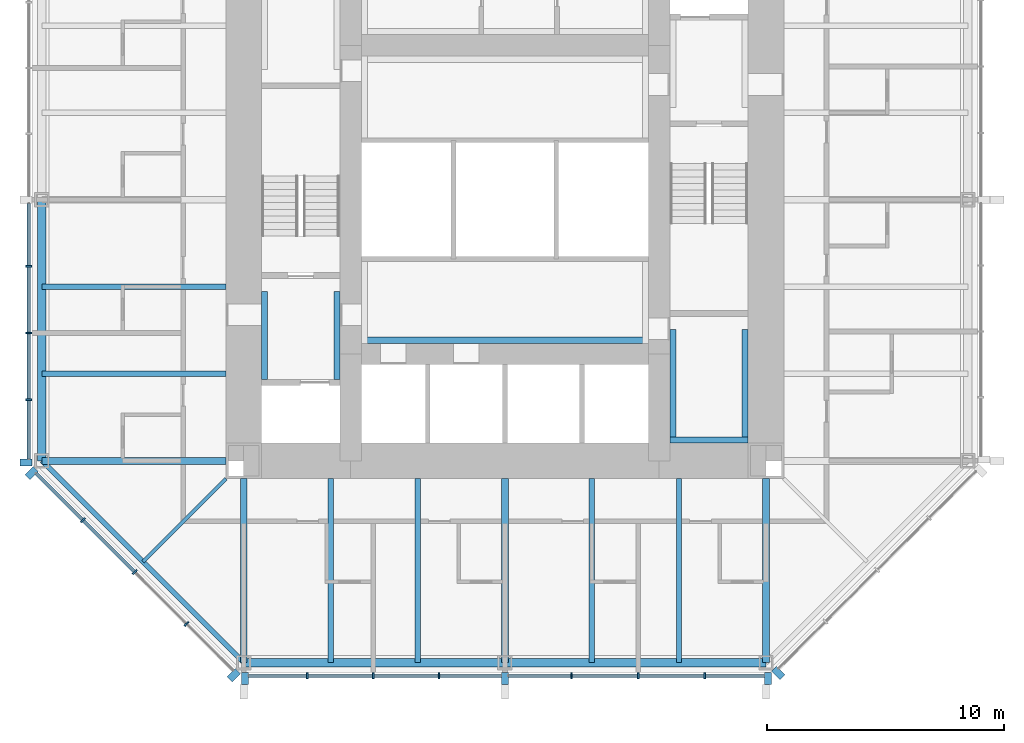
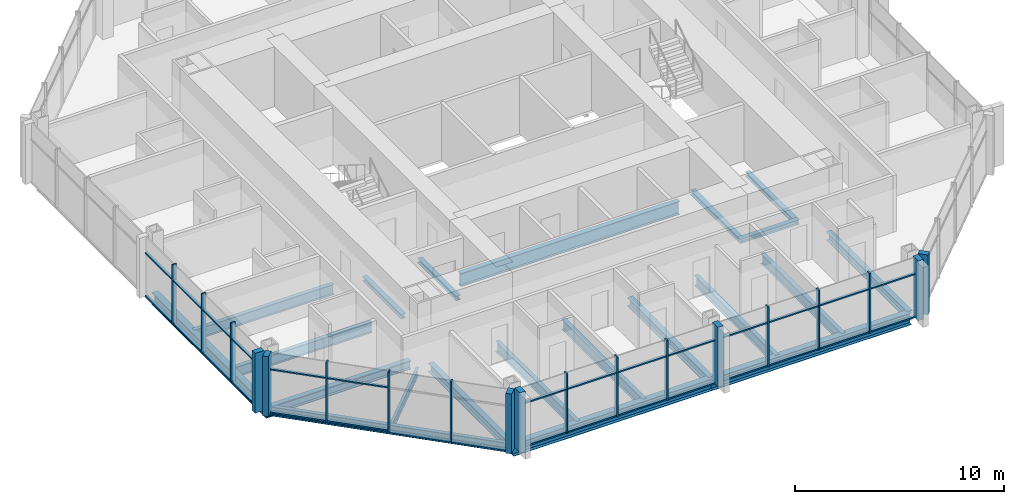
# One storey, part 2 of 12: 47 members, 21 beams, 4 elements without a shape of their own.
"""IFC4 building model written with IfcOpenShell, lengths in metres."""

from ifc_helpers import new_model, si_unit, direction, frame, origin, origin_2d, place, context, subcontext, project, spatial, rectangle, i_section, extrude, material, material_profile, profile_set, type_object, element, aggregate, save


model = new_model("IFC4")

# Units and contexts
model_context = context("Model", 3, precision=1e-05, world=origin(), true_north=direction((0.0, 1.0)))
body_context = subcontext(model_context, "Body", "Model", "MODEL_VIEW")
ifc_project = project(units=[si_unit("LENGTHUNIT", "METRE"), si_unit("AREAUNIT", "SQUARE_METRE"), si_unit("VOLUMEUNIT", "CUBIC_METRE"), si_unit("PLANEANGLEUNIT", "RADIAN"), si_unit("MASSUNIT", "GRAM", prefix="KILO")], contexts=[model_context])

# Site, building, storey
site_placement = place(None, origin())
site = spatial("IfcSite", under=ifc_project, at=site_placement, CompositionType="ELEMENT")
building_placement = place(site_placement, origin())
building = spatial("IfcBuilding", under=site, at=building_placement, Name="Trevanion Tower", CompositionType="ELEMENT")
storey_placement = place(building_placement, frame((0.0, 0.0, 201.199951171875)))
storey = spatial("IfcBuildingStorey", under=building, at=storey_placement, Name="L47", CompositionType="ELEMENT", Elevation=201.199951171875)

# Beams
ifc_material_1 = material(Name="Steel ASTM A992 Grade 50", Category="steel")
ifc_material_profile_1 = material_profile(ifc_material_1, i_section(OverallWidth=0.228271484375, OverallDepth=0.607177734375, WebThickness=0.01123046875, FlangeThickness=0.017333984375, at=origin_2d()), Name="W24X76")
ifc_profile_set_1 = profile_set([ifc_material_profile_1], Name="Steel ASTM A992 Grade 50")
beam_type_1 = type_object("IfcBeamType", Name="B11 W24X76", PredefinedType="BEAM", material=ifc_profile_set_1)
for number, where, z_axis, x_axis, name in (
    (1, (-11.75, -3.666748046875, -0.493408203125), (-1.0, 0.0, 0.0), (0.0, -1.0, 0.0), "B11 L47"),
    (2, (-11.75, -7.333251953125, -0.493408203125), (-1.0, 0.0, 0.0), (0.0, -1.0, 0.0), "B11 L47"),
    (3, (-7.333251953125, -11.75, -0.493408203125), (0.0, -1.0, 0.0), (1.0, 0.0, 0.0), "B11 L47"),
    (4, (-3.666748046875, -11.75, -0.493408203125), (0.0, -1.0, 0.0), (1.0, 0.0, 0.0), "B11 L47"),
    (5, (3.666748046875, -11.75, -0.493408203125), (0.0, -1.0, 0.0), (1.0, 0.0, 0.0), "B11 L47"),
    (6, (7.333251953125, -11.75, -0.493408203125), (0.0, -1.0, 0.0), (1.0, 0.0, 0.0), "B11 L47"),
):
    element("IfcBeam", number, at=place(storey_placement, frame(where, z_axis=z_axis, x_axis=x_axis)), inside=storey, type_object=beam_type_1, Name=name, PredefinedType="BEAM", context=body_context, shape_type="SweptSolid", body=[
        extrude(i_section(OverallWidth=0.228271484375, OverallDepth=0.607177734375, WebThickness=0.01123046875, FlangeThickness=0.017333984375, at=origin_2d()), origin(), (0.0, 0.0, 1.0), 7.75),
    ])
ifc_material_2 = material(Name="Steel ASTM A992 Grade 50", Category="steel")
ifc_material_profile_2 = material_profile(ifc_material_2, i_section(OverallWidth=0.15234375, OverallDepth=0.449462890625, WebThickness=0.007568359375, FlangeThickness=0.0107421875, at=origin_2d()), Name="W18X35")
ifc_profile_set_2 = profile_set([ifc_material_profile_2], Name="Steel ASTM A992 Grade 50")
beam_type_2 = type_object("IfcBeamType", Name="B12 W18X35", PredefinedType="BEAM", material=ifc_profile_set_2)
beam_1_placement = place(storey_placement, frame((-11.75, -11.75, -0.414794921875), z_axis=(-0.707106781187, -0.707106781187, 0.0), x_axis=(0.707106781187, -0.707106781187, 0.0)))
element("IfcBeam", 7, at=beam_1_placement, inside=storey, type_object=beam_type_2, Name="B12 L47", PredefinedType="BEAM", context=body_context, shape_type="SweptSolid", body=[
    extrude(i_section(OverallWidth=0.15234375, OverallDepth=0.449462890625, WebThickness=0.007568359375, FlangeThickness=0.0107421875, at=origin_2d()), origin(), (0.0, 0.0, 1.0), 4.94970703125),
])

# Curtain wall, members
ifc_material_3 = material(Name="Aluminium and glass", Category="aluminium")
curtain_wall_type = type_object("IfcCurtainWallType", Name="CW3 curtain wall", PredefinedType="USERDEFINED", material=ifc_material_3)
curtain_wall_1_placement = place(storey_placement, origin())
curtain_wall_1 = element("IfcCurtainWall", 8, at=curtain_wall_1_placement, inside=storey, type_object=curtain_wall_type, Name="CW3 L47 4", ObjectType="UNITISED CURTAIN WALL", PredefinedType="USERDEFINED")
ifc_material_4 = material(Name="Aluminium extrusion, anodised bronze", Category="aluminium")
ifc_material_profile_3 = material_profile(ifc_material_4, rectangle(XDim=0.074951171875, YDim=0.25, at=origin_2d()), Name="CW3 mullion")
ifc_profile_set_3 = profile_set([ifc_material_profile_3], Name="Aluminium extrusion, anodised bronze")
member_type_1 = type_object("IfcMemberType", Name="CW3 mullion", PredefinedType="MULLION", material=ifc_profile_set_3)
member_1_placement = place(storey_placement, frame((-20.050048828125, -2.806884765625, -0.18994140625), z_axis=(0.0, 0.0, 1.0), x_axis=(0.0, -1.0, 0.0)))
member_1 = element("IfcMember", 9, at=member_1_placement, type_object=member_type_1, Name="CW3 mullion 6", PredefinedType="MULLION", context=body_context, shape_type="SweptSolid", body=[
    extrude(rectangle(XDim=0.074951171875, YDim=0.25, at=origin_2d()), origin(), (0.0, 0.0, 1.0), 3.5),
])
member_2_placement = place(storey_placement, frame((-20.050048828125, -5.614013671875, -0.18994140625), z_axis=(0.0, 0.0, 1.0), x_axis=(0.0, -1.0, 0.0)))
member_2 = element("IfcMember", 10, at=member_2_placement, type_object=member_type_1, Name="CW3 mullion 7", PredefinedType="MULLION", context=body_context, shape_type="SweptSolid", body=[
    extrude(rectangle(XDim=0.074951171875, YDim=0.25, at=origin_2d()), origin(), (0.0, 0.0, 1.0), 3.5),
])
member_3_placement = place(storey_placement, frame((-20.050048828125, -8.4208984375, -0.18994140625), z_axis=(0.0, 0.0, 1.0), x_axis=(0.0, -1.0, 0.0)))
member_3 = element("IfcMember", 11, at=member_3_placement, type_object=member_type_1, Name="CW3 mullion 8", PredefinedType="MULLION", context=body_context, shape_type="SweptSolid", body=[
    extrude(rectangle(XDim=0.074951171875, YDim=0.25, at=origin_2d()), origin(), (0.0, 0.0, 1.0), 3.5),
])

curtain_wall_2_placement = place(storey_placement, origin())
curtain_wall_2 = element("IfcCurtainWall", 12, at=curtain_wall_2_placement, inside=storey, type_object=curtain_wall_type, Name="CW3 L47 5", ObjectType="UNITISED CURTAIN WALL", PredefinedType="USERDEFINED")
member_4_placement = place(storey_placement, frame((-17.775390625, -13.502197265625, -0.18994140625), z_axis=(0.0, 0.0, 1.0), x_axis=(0.707106781187, -0.707106781187, 0.0)))
member_4 = element("IfcMember", 13, at=member_4_placement, type_object=member_type_1, Name="CW3 mullion 2", PredefinedType="MULLION", context=body_context, shape_type="SweptSolid", body=[
    extrude(rectangle(XDim=0.074951171875, YDim=0.25, at=origin_2d()), origin(), (0.0, 0.0, 1.0), 3.5),
])
member_5_placement = place(storey_placement, frame((-15.593017578125, -15.684814453125, -0.18994140625), z_axis=(0.0, 0.0, 1.0), x_axis=(0.707106781187, -0.707106781187, 0.0)))
member_5 = element("IfcMember", 14, at=member_5_placement, type_object=member_type_1, Name="CW3 mullion 3", PredefinedType="MULLION", context=body_context, shape_type="SweptSolid", body=[
    extrude(rectangle(XDim=0.074951171875, YDim=0.25, at=origin_2d()), origin(), (0.0, 0.0, 1.0), 3.5),
])
member_6_placement = place(storey_placement, frame((-13.410400390625, -17.867431640625, -0.18994140625), z_axis=(0.0, 0.0, 1.0), x_axis=(0.707106781187, -0.707106781187, 0.0)))
member_6 = element("IfcMember", 15, at=member_6_placement, type_object=member_type_1, Name="CW3 mullion 4", PredefinedType="MULLION", context=body_context, shape_type="SweptSolid", body=[
    extrude(rectangle(XDim=0.074951171875, YDim=0.25, at=origin_2d()), origin(), (0.0, 0.0, 1.0), 3.5),
])

curtain_wall_3_placement = place(storey_placement, origin())
curtain_wall_3 = element("IfcCurtainWall", 16, at=curtain_wall_3_placement, inside=storey, type_object=curtain_wall_type, Name="CW3 L47 6", ObjectType="UNITISED CURTAIN WALL", PredefinedType="USERDEFINED")
member_7_placement = place(storey_placement, frame((-8.323486328125, -20.050048828125, -0.18994140625), z_axis=(0.0, 0.0, 1.0), x_axis=(1.0, 0.0, 0.0)))
member_7 = element("IfcMember", 17, at=member_7_placement, type_object=member_type_1, Name="CW3 mullion 2", PredefinedType="MULLION", context=body_context, shape_type="SweptSolid", body=[
    extrude(rectangle(XDim=0.074951171875, YDim=0.25, at=origin_2d()), origin(), (0.0, 0.0, 1.0), 3.5),
])
member_8_placement = place(storey_placement, frame((-5.548828125, -20.050048828125, -0.18994140625), z_axis=(0.0, 0.0, 1.0), x_axis=(1.0, 0.0, 0.0)))
member_8 = element("IfcMember", 18, at=member_8_placement, type_object=member_type_1, Name="CW3 mullion 3", PredefinedType="MULLION", context=body_context, shape_type="SweptSolid", body=[
    extrude(rectangle(XDim=0.074951171875, YDim=0.25, at=origin_2d()), origin(), (0.0, 0.0, 1.0), 3.5),
])
member_9_placement = place(storey_placement, frame((-2.7744140625, -20.050048828125, -0.18994140625), z_axis=(0.0, 0.0, 1.0), x_axis=(1.0, 0.0, 0.0)))
member_9 = element("IfcMember", 19, at=member_9_placement, type_object=member_type_1, Name="CW3 mullion 4", PredefinedType="MULLION", context=body_context, shape_type="SweptSolid", body=[
    extrude(rectangle(XDim=0.074951171875, YDim=0.25, at=origin_2d()), origin(), (0.0, 0.0, 1.0), 3.5),
])
member_10_placement = place(storey_placement, frame((2.806884765625, -20.050048828125, -0.18994140625), z_axis=(0.0, 0.0, 1.0), x_axis=(1.0, 0.0, 0.0)))
member_10 = element("IfcMember", 20, at=member_10_placement, type_object=member_type_1, Name="CW3 mullion 6", PredefinedType="MULLION", context=body_context, shape_type="SweptSolid", body=[
    extrude(rectangle(XDim=0.074951171875, YDim=0.25, at=origin_2d()), origin(), (0.0, 0.0, 1.0), 3.5),
])
member_11_placement = place(storey_placement, frame((5.614013671875, -20.050048828125, -0.18994140625), z_axis=(0.0, 0.0, 1.0), x_axis=(1.0, 0.0, 0.0)))
member_11 = element("IfcMember", 21, at=member_11_placement, type_object=member_type_1, Name="CW3 mullion 7", PredefinedType="MULLION", context=body_context, shape_type="SweptSolid", body=[
    extrude(rectangle(XDim=0.074951171875, YDim=0.25, at=origin_2d()), origin(), (0.0, 0.0, 1.0), 3.5),
])
member_12_placement = place(storey_placement, frame((8.4208984375, -20.050048828125, -0.18994140625), z_axis=(0.0, 0.0, 1.0), x_axis=(1.0, 0.0, 0.0)))
member_12 = element("IfcMember", 22, at=member_12_placement, type_object=member_type_1, Name="CW3 mullion 8", PredefinedType="MULLION", context=body_context, shape_type="SweptSolid", body=[
    extrude(rectangle(XDim=0.074951171875, YDim=0.25, at=origin_2d()), origin(), (0.0, 0.0, 1.0), 3.5),
])

# Member
ifc_material_5 = material(Name="Aluminium extrusion, anodised bronze", Category="aluminium")
ifc_material_profile_4 = material_profile(ifc_material_5, rectangle(XDim=0.300048828125, YDim=0.5, at=origin_2d()), Name="CW3 pier mullion")
ifc_profile_set_4 = profile_set([ifc_material_profile_4], Name="Aluminium extrusion, anodised bronze")
member_type_2 = type_object("IfcMemberType", Name="CW3 pier mullion", PredefinedType="MULLION", material=ifc_profile_set_4)
member_13_placement = place(storey_placement, frame((-20.175048828125, -11.077880859375, -0.18994140625), z_axis=(0.0, 0.0, 1.0), x_axis=(0.0, -1.0, 0.0)))
member_13 = element("IfcMember", 23, at=member_13_placement, type_object=member_type_2, Name="CW3 pier mullion 9", PredefinedType="MULLION", context=body_context, shape_type="SweptSolid", body=[
    extrude(rectangle(XDim=0.300048828125, YDim=0.5, at=origin_2d()), origin(), (0.0, 0.0, 1.0), 3.5),
])

member_14_placement = place(storey_placement, frame((-19.9404296875, -11.51416015625, -0.18994140625), z_axis=(0.0, 0.0, 1.0), x_axis=(0.707106781187, -0.707106781187, 0.0)))
member_14 = element("IfcMember", 24, at=member_14_placement, type_object=member_type_2, Name="CW3 pier mullion 1", PredefinedType="MULLION", context=body_context, shape_type="SweptSolid", body=[
    extrude(rectangle(XDim=0.300048828125, YDim=0.5, at=origin_2d()), origin(), (0.0, 0.0, 1.0), 3.5),
])

member_15_placement = place(storey_placement, frame((-11.42236328125, -20.0322265625, -0.18994140625), z_axis=(0.0, 0.0, 1.0), x_axis=(0.707106781187, -0.707106781187, 0.0)))
member_15 = element("IfcMember", 25, at=member_15_placement, type_object=member_type_2, Name="CW3 pier mullion 5", PredefinedType="MULLION", context=body_context, shape_type="SweptSolid", body=[
    extrude(rectangle(XDim=0.300048828125, YDim=0.5, at=origin_2d()), origin(), (0.0, 0.0, 1.0), 3.5),
])

member_16_placement = place(storey_placement, frame((-10.94775390625, -20.175048828125, -0.18994140625), z_axis=(0.0, 0.0, 1.0), x_axis=(1.0, 0.0, 0.0)))
member_16 = element("IfcMember", 26, at=member_16_placement, type_object=member_type_2, Name="CW3 pier mullion 1", PredefinedType="MULLION", context=body_context, shape_type="SweptSolid", body=[
    extrude(rectangle(XDim=0.300048828125, YDim=0.5, at=origin_2d()), origin(), (0.0, 0.0, 1.0), 3.5),
])

member_17_placement = place(storey_placement, frame((0.0, -20.175048828125, -0.18994140625), z_axis=(0.0, 0.0, 1.0), x_axis=(1.0, 0.0, 0.0)))
member_17 = element("IfcMember", 27, at=member_17_placement, type_object=member_type_2, Name="CW3 pier mullion 5", PredefinedType="MULLION", context=body_context, shape_type="SweptSolid", body=[
    extrude(rectangle(XDim=0.300048828125, YDim=0.5, at=origin_2d()), origin(), (0.0, 0.0, 1.0), 3.5),
])

member_18_placement = place(storey_placement, frame((11.077880859375, -20.175048828125, -0.18994140625), z_axis=(0.0, 0.0, 1.0), x_axis=(1.0, 0.0, 0.0)))
member_18 = element("IfcMember", 28, at=member_18_placement, type_object=member_type_2, Name="CW3 pier mullion 9", PredefinedType="MULLION", context=body_context, shape_type="SweptSolid", body=[
    extrude(rectangle(XDim=0.300048828125, YDim=0.5, at=origin_2d()), origin(), (0.0, 0.0, 1.0), 3.5),
])

# Curtain wall, member
curtain_wall_4_placement = place(storey_placement, origin())
curtain_wall_4 = element("IfcCurtainWall", 29, at=curtain_wall_4_placement, inside=storey, type_object=curtain_wall_type, Name="CW3 L47 7", ObjectType="UNITISED CURTAIN WALL", PredefinedType="USERDEFINED")
member_19_placement = place(storey_placement, frame((11.51416015625, -19.9404296875, -0.18994140625), z_axis=(0.0, 0.0, 1.0), x_axis=(0.707106781187, 0.707106781187, 0.0)))
member_19 = element("IfcMember", 30, at=member_19_placement, type_object=member_type_2, Name="CW3 pier mullion 1", PredefinedType="MULLION", context=body_context, shape_type="SweptSolid", body=[
    extrude(rectangle(XDim=0.300048828125, YDim=0.5, at=origin_2d()), origin(), (0.0, 0.0, 1.0), 3.5),
])
aggregate(curtain_wall_4, [member_19])

# Member
ifc_material_6 = material(Name="Aluminium extrusion, anodised bronze", Category="aluminium")
ifc_material_profile_5 = material_profile(ifc_material_6, rectangle(XDim=0.14990234375, YDim=0.074951171875, at=origin_2d()), Name="CW3 transom")
ifc_profile_set_5 = profile_set([ifc_material_profile_5], Name="Aluminium extrusion, anodised bronze")
member_type_3 = type_object("IfcMemberType", Name="CW3 transom", PredefinedType="USERDEFINED", material=ifc_profile_set_5)
member_20_placement = place(storey_placement, frame((-20.050048828125, -0.14990234375, -0.15234375), z_axis=(0.0, -1.0, 0.0), x_axis=(1.0, 0.0, 0.0)))
member_20 = element("IfcMember", 31, at=member_20_placement, type_object=member_type_3, Name="CW3 transom 5.1", ObjectType="TRANSOM", PredefinedType="USERDEFINED", context=body_context, shape_type="SweptSolid", body=[
    extrude(rectangle(XDim=0.14990234375, YDim=0.074951171875, at=origin_2d()), origin(), (0.0, 0.0, 1.0), 2.619384765625),
])

member_21_placement = place(storey_placement, frame((-20.050048828125, -0.14990234375, 2.360107421875), z_axis=(0.0, -1.0, 0.0), x_axis=(1.0, 0.0, 0.0)))
member_21 = element("IfcMember", 32, at=member_21_placement, type_object=member_type_3, Name="CW3 transom 5.2", ObjectType="TRANSOM", PredefinedType="USERDEFINED", context=body_context, shape_type="SweptSolid", body=[
    extrude(rectangle(XDim=0.14990234375, YDim=0.074951171875, at=origin_2d()), origin(), (0.0, 0.0, 1.0), 2.619384765625),
])

member_22_placement = place(storey_placement, frame((-20.050048828125, -2.844482421875, -0.15234375), z_axis=(0.0, -1.0, 0.0), x_axis=(1.0, 0.0, 0.0)))
member_22 = element("IfcMember", 33, at=member_22_placement, type_object=member_type_3, Name="CW3 transom 6.1", ObjectType="TRANSOM", PredefinedType="USERDEFINED", context=body_context, shape_type="SweptSolid", body=[
    extrude(rectangle(XDim=0.14990234375, YDim=0.074951171875, at=origin_2d()), origin(), (0.0, 0.0, 1.0), 2.73193359375),
])

member_23_placement = place(storey_placement, frame((-20.050048828125, -2.844482421875, 2.360107421875), z_axis=(0.0, -1.0, 0.0), x_axis=(1.0, 0.0, 0.0)))
member_23 = element("IfcMember", 34, at=member_23_placement, type_object=member_type_3, Name="CW3 transom 6.2", ObjectType="TRANSOM", PredefinedType="USERDEFINED", context=body_context, shape_type="SweptSolid", body=[
    extrude(rectangle(XDim=0.14990234375, YDim=0.074951171875, at=origin_2d()), origin(), (0.0, 0.0, 1.0), 2.73193359375),
])

member_24_placement = place(storey_placement, frame((-20.050048828125, -5.6513671875, -0.15234375), z_axis=(0.0, -1.0, 0.0), x_axis=(1.0, 0.0, 0.0)))
member_24 = element("IfcMember", 35, at=member_24_placement, type_object=member_type_3, Name="CW3 transom 7.1", ObjectType="TRANSOM", PredefinedType="USERDEFINED", context=body_context, shape_type="SweptSolid", body=[
    extrude(rectangle(XDim=0.14990234375, YDim=0.074951171875, at=origin_2d()), origin(), (0.0, 0.0, 1.0), 2.73193359375),
])

member_25_placement = place(storey_placement, frame((-20.050048828125, -5.6513671875, 2.360107421875), z_axis=(0.0, -1.0, 0.0), x_axis=(1.0, 0.0, 0.0)))
member_25 = element("IfcMember", 36, at=member_25_placement, type_object=member_type_3, Name="CW3 transom 7.2", ObjectType="TRANSOM", PredefinedType="USERDEFINED", context=body_context, shape_type="SweptSolid", body=[
    extrude(rectangle(XDim=0.14990234375, YDim=0.074951171875, at=origin_2d()), origin(), (0.0, 0.0, 1.0), 2.73193359375),
])

member_26_placement = place(storey_placement, frame((-20.050048828125, -8.45849609375, -0.15234375), z_axis=(0.0, -1.0, 0.0), x_axis=(1.0, 0.0, 0.0)))
member_26 = element("IfcMember", 37, at=member_26_placement, type_object=member_type_3, Name="CW3 transom 8.1", ObjectType="TRANSOM", PredefinedType="USERDEFINED", context=body_context, shape_type="SweptSolid", body=[
    extrude(rectangle(XDim=0.14990234375, YDim=0.074951171875, at=origin_2d()), origin(), (0.0, 0.0, 1.0), 2.46923828125),
])

member_27_placement = place(storey_placement, frame((-20.050048828125, -8.45849609375, 2.360107421875), z_axis=(0.0, -1.0, 0.0), x_axis=(1.0, 0.0, 0.0)))
member_27 = element("IfcMember", 38, at=member_27_placement, type_object=member_type_3, Name="CW3 transom 8.2", ObjectType="TRANSOM", PredefinedType="USERDEFINED", context=body_context, shape_type="SweptSolid", body=[
    extrude(rectangle(XDim=0.14990234375, YDim=0.074951171875, at=origin_2d()), origin(), (0.0, 0.0, 1.0), 2.46923828125),
])

aggregate(curtain_wall_1, [member_1, member_2, member_3, member_13, member_20, member_21, member_22, member_23, member_24, member_25, member_26, member_27])

member_28_placement = place(storey_placement, frame((-19.745849609375, -11.531982421875, -0.15234375), z_axis=(0.707106781187, -0.707106781187, 0.0), x_axis=(0.707106781187, 0.707106781187, 0.0)))
member_28 = element("IfcMember", 39, at=member_28_placement, type_object=member_type_3, Name="CW3 transom 1.1", ObjectType="TRANSOM", PredefinedType="USERDEFINED", context=body_context, shape_type="SweptSolid", body=[
    extrude(rectangle(XDim=0.14990234375, YDim=0.074951171875, at=origin_2d()), origin(), (0.0, 0.0, 1.0), 2.7490234375),
])

member_29_placement = place(storey_placement, frame((-19.745849609375, -11.531982421875, 2.360107421875), z_axis=(0.707106781187, -0.707106781187, 0.0), x_axis=(0.707106781187, 0.707106781187, 0.0)))
member_29 = element("IfcMember", 40, at=member_29_placement, type_object=member_type_3, Name="CW3 transom 1.2", ObjectType="TRANSOM", PredefinedType="USERDEFINED", context=body_context, shape_type="SweptSolid", body=[
    extrude(rectangle(XDim=0.14990234375, YDim=0.074951171875, at=origin_2d()), origin(), (0.0, 0.0, 1.0), 2.7490234375),
])

member_30_placement = place(storey_placement, frame((-17.7490234375, -13.52880859375, -0.15234375), z_axis=(0.707106781187, -0.707106781187, 0.0), x_axis=(0.707106781187, 0.707106781187, 0.0)))
member_30 = element("IfcMember", 41, at=member_30_placement, type_object=member_type_3, Name="CW3 transom 2.1", ObjectType="TRANSOM", PredefinedType="USERDEFINED", context=body_context, shape_type="SweptSolid", body=[
    extrude(rectangle(XDim=0.14990234375, YDim=0.074951171875, at=origin_2d()), origin(), (0.0, 0.0, 1.0), 3.01171875),
])

member_31_placement = place(storey_placement, frame((-17.7490234375, -13.52880859375, 2.360107421875), z_axis=(0.707106781187, -0.707106781187, 0.0), x_axis=(0.707106781187, 0.707106781187, 0.0)))
member_31 = element("IfcMember", 42, at=member_31_placement, type_object=member_type_3, Name="CW3 transom 2.2", ObjectType="TRANSOM", PredefinedType="USERDEFINED", context=body_context, shape_type="SweptSolid", body=[
    extrude(rectangle(XDim=0.14990234375, YDim=0.074951171875, at=origin_2d()), origin(), (0.0, 0.0, 1.0), 3.01171875),
])

aggregate(curtain_wall_2, [member_14, member_4, member_5, member_6, member_15, member_28, member_29, member_30, member_31])

member_32_placement = place(storey_placement, frame((-10.7978515625, -20.050048828125, -0.15234375), z_axis=(1.0, 0.0, 0.0), x_axis=(0.0, 1.0, 0.0)))
member_32 = element("IfcMember", 43, at=member_32_placement, type_object=member_type_3, Name="CW3 transom 1.1", ObjectType="TRANSOM", PredefinedType="USERDEFINED", context=body_context, shape_type="SweptSolid", body=[
    extrude(rectangle(XDim=0.14990234375, YDim=0.074951171875, at=origin_2d()), origin(), (0.0, 0.0, 1.0), 2.43701171875),
])

member_33_placement = place(storey_placement, frame((-10.7978515625, -20.050048828125, 2.360107421875), z_axis=(1.0, 0.0, 0.0), x_axis=(0.0, 1.0, 0.0)))
member_33 = element("IfcMember", 44, at=member_33_placement, type_object=member_type_3, Name="CW3 transom 1.2", ObjectType="TRANSOM", PredefinedType="USERDEFINED", context=body_context, shape_type="SweptSolid", body=[
    extrude(rectangle(XDim=0.14990234375, YDim=0.074951171875, at=origin_2d()), origin(), (0.0, 0.0, 1.0), 2.43701171875),
])

member_34_placement = place(storey_placement, frame((-8.285888671875, -20.050048828125, -0.15234375), z_axis=(1.0, 0.0, 0.0), x_axis=(0.0, 1.0, 0.0)))
member_34 = element("IfcMember", 45, at=member_34_placement, type_object=member_type_3, Name="CW3 transom 2.1", ObjectType="TRANSOM", PredefinedType="USERDEFINED", context=body_context, shape_type="SweptSolid", body=[
    extrude(rectangle(XDim=0.14990234375, YDim=0.074951171875, at=origin_2d()), origin(), (0.0, 0.0, 1.0), 2.699462890625),
])

member_35_placement = place(storey_placement, frame((-8.285888671875, -20.050048828125, 2.360107421875), z_axis=(1.0, 0.0, 0.0), x_axis=(0.0, 1.0, 0.0)))
member_35 = element("IfcMember", 46, at=member_35_placement, type_object=member_type_3, Name="CW3 transom 2.2", ObjectType="TRANSOM", PredefinedType="USERDEFINED", context=body_context, shape_type="SweptSolid", body=[
    extrude(rectangle(XDim=0.14990234375, YDim=0.074951171875, at=origin_2d()), origin(), (0.0, 0.0, 1.0), 2.699462890625),
])

member_36_placement = place(storey_placement, frame((-5.511474609375, -20.050048828125, -0.15234375), z_axis=(1.0, 0.0, 0.0), x_axis=(0.0, 1.0, 0.0)))
member_36 = element("IfcMember", 47, at=member_36_placement, type_object=member_type_3, Name="CW3 transom 3.1", ObjectType="TRANSOM", PredefinedType="USERDEFINED", context=body_context, shape_type="SweptSolid", body=[
    extrude(rectangle(XDim=0.14990234375, YDim=0.074951171875, at=origin_2d()), origin(), (0.0, 0.0, 1.0), 2.699462890625),
])

member_37_placement = place(storey_placement, frame((-5.511474609375, -20.050048828125, 2.360107421875), z_axis=(1.0, 0.0, 0.0), x_axis=(0.0, 1.0, 0.0)))
member_37 = element("IfcMember", 48, at=member_37_placement, type_object=member_type_3, Name="CW3 transom 3.2", ObjectType="TRANSOM", PredefinedType="USERDEFINED", context=body_context, shape_type="SweptSolid", body=[
    extrude(rectangle(XDim=0.14990234375, YDim=0.074951171875, at=origin_2d()), origin(), (0.0, 0.0, 1.0), 2.699462890625),
])

member_38_placement = place(storey_placement, frame((-2.737060546875, -20.050048828125, -0.15234375), z_axis=(1.0, 0.0, 0.0), x_axis=(0.0, 1.0, 0.0)))
member_38 = element("IfcMember", 49, at=member_38_placement, type_object=member_type_3, Name="CW3 transom 4.1", ObjectType="TRANSOM", PredefinedType="USERDEFINED", context=body_context, shape_type="SweptSolid", body=[
    extrude(rectangle(XDim=0.14990234375, YDim=0.074951171875, at=origin_2d()), origin(), (0.0, 0.0, 1.0), 2.587158203125),
])

member_39_placement = place(storey_placement, frame((-2.737060546875, -20.050048828125, 2.360107421875), z_axis=(1.0, 0.0, 0.0), x_axis=(0.0, 1.0, 0.0)))
member_39 = element("IfcMember", 50, at=member_39_placement, type_object=member_type_3, Name="CW3 transom 4.2", ObjectType="TRANSOM", PredefinedType="USERDEFINED", context=body_context, shape_type="SweptSolid", body=[
    extrude(rectangle(XDim=0.14990234375, YDim=0.074951171875, at=origin_2d()), origin(), (0.0, 0.0, 1.0), 2.587158203125),
])

member_40_placement = place(storey_placement, frame((0.14990234375, -20.050048828125, -0.15234375), z_axis=(1.0, 0.0, 0.0), x_axis=(0.0, 1.0, 0.0)))
member_40 = element("IfcMember", 51, at=member_40_placement, type_object=member_type_3, Name="CW3 transom 5.1", ObjectType="TRANSOM", PredefinedType="USERDEFINED", context=body_context, shape_type="SweptSolid", body=[
    extrude(rectangle(XDim=0.14990234375, YDim=0.074951171875, at=origin_2d()), origin(), (0.0, 0.0, 1.0), 2.619384765625),
])

member_41_placement = place(storey_placement, frame((0.14990234375, -20.050048828125, 2.360107421875), z_axis=(1.0, 0.0, 0.0), x_axis=(0.0, 1.0, 0.0)))
member_41 = element("IfcMember", 52, at=member_41_placement, type_object=member_type_3, Name="CW3 transom 5.2", ObjectType="TRANSOM", PredefinedType="USERDEFINED", context=body_context, shape_type="SweptSolid", body=[
    extrude(rectangle(XDim=0.14990234375, YDim=0.074951171875, at=origin_2d()), origin(), (0.0, 0.0, 1.0), 2.619384765625),
])

member_42_placement = place(storey_placement, frame((2.844482421875, -20.050048828125, -0.15234375), z_axis=(1.0, 0.0, 0.0), x_axis=(0.0, 1.0, 0.0)))
member_42 = element("IfcMember", 53, at=member_42_placement, type_object=member_type_3, Name="CW3 transom 6.1", ObjectType="TRANSOM", PredefinedType="USERDEFINED", context=body_context, shape_type="SweptSolid", body=[
    extrude(rectangle(XDim=0.14990234375, YDim=0.074951171875, at=origin_2d()), origin(), (0.0, 0.0, 1.0), 2.73193359375),
])

member_43_placement = place(storey_placement, frame((2.844482421875, -20.050048828125, 2.360107421875), z_axis=(1.0, 0.0, 0.0), x_axis=(0.0, 1.0, 0.0)))
member_43 = element("IfcMember", 54, at=member_43_placement, type_object=member_type_3, Name="CW3 transom 6.2", ObjectType="TRANSOM", PredefinedType="USERDEFINED", context=body_context, shape_type="SweptSolid", body=[
    extrude(rectangle(XDim=0.14990234375, YDim=0.074951171875, at=origin_2d()), origin(), (0.0, 0.0, 1.0), 2.73193359375),
])

member_44_placement = place(storey_placement, frame((5.6513671875, -20.050048828125, -0.15234375), z_axis=(1.0, 0.0, 0.0), x_axis=(0.0, 1.0, 0.0)))
member_44 = element("IfcMember", 55, at=member_44_placement, type_object=member_type_3, Name="CW3 transom 7.1", ObjectType="TRANSOM", PredefinedType="USERDEFINED", context=body_context, shape_type="SweptSolid", body=[
    extrude(rectangle(XDim=0.14990234375, YDim=0.074951171875, at=origin_2d()), origin(), (0.0, 0.0, 1.0), 2.73193359375),
])

member_45_placement = place(storey_placement, frame((5.6513671875, -20.050048828125, 2.360107421875), z_axis=(1.0, 0.0, 0.0), x_axis=(0.0, 1.0, 0.0)))
member_45 = element("IfcMember", 56, at=member_45_placement, type_object=member_type_3, Name="CW3 transom 7.2", ObjectType="TRANSOM", PredefinedType="USERDEFINED", context=body_context, shape_type="SweptSolid", body=[
    extrude(rectangle(XDim=0.14990234375, YDim=0.074951171875, at=origin_2d()), origin(), (0.0, 0.0, 1.0), 2.73193359375),
])

member_46_placement = place(storey_placement, frame((8.45849609375, -20.050048828125, -0.15234375), z_axis=(1.0, 0.0, 0.0), x_axis=(0.0, 1.0, 0.0)))
member_46 = element("IfcMember", 57, at=member_46_placement, type_object=member_type_3, Name="CW3 transom 8.1", ObjectType="TRANSOM", PredefinedType="USERDEFINED", context=body_context, shape_type="SweptSolid", body=[
    extrude(rectangle(XDim=0.14990234375, YDim=0.074951171875, at=origin_2d()), origin(), (0.0, 0.0, 1.0), 2.46923828125),
])

member_47_placement = place(storey_placement, frame((8.45849609375, -20.050048828125, 2.360107421875), z_axis=(1.0, 0.0, 0.0), x_axis=(0.0, 1.0, 0.0)))
member_47 = element("IfcMember", 58, at=member_47_placement, type_object=member_type_3, Name="CW3 transom 8.2", ObjectType="TRANSOM", PredefinedType="USERDEFINED", context=body_context, shape_type="SweptSolid", body=[
    extrude(rectangle(XDim=0.14990234375, YDim=0.074951171875, at=origin_2d()), origin(), (0.0, 0.0, 1.0), 2.46923828125),
])

aggregate(curtain_wall_3, [member_16, member_7, member_8, member_9, member_17, member_10, member_11, member_12, member_18, member_32, member_33, member_34, member_35, member_36, member_37, member_38, member_39, member_40, member_41, member_42, member_43, member_44, member_45, member_46, member_47])

# Beams
ifc_material_7 = material(Name="Steel ASTM A992 Grade 50", Category="steel")
ifc_material_profile_6 = material_profile(ifc_material_7, i_section(OverallWidth=0.28955078125, OverallDepth=0.508056640625, WebThickness=0.022705078125, FlangeThickness=0.040283203125, at=origin_2d()), Name="W18X175")
ifc_profile_set_6 = profile_set([ifc_material_profile_6], Name="Steel ASTM A992 Grade 50")
beam_type_3 = type_object("IfcBeamType", Name="G6 W18X175", PredefinedType="BEAM", material=ifc_profile_set_6)
for number, where, z_axis, x_axis, name in (
    (59, (-11.75, -11.0, -0.44384765625), (-1.0, 0.0, 0.0), (0.0, -1.0, 0.0), "G6 L47"),
    (60, (-11.0, -11.75, -0.44384765625), (0.0, -1.0, 0.0), (1.0, 0.0, 0.0), "G6 L47"),
    (61, (0.0, -11.75, -0.44384765625), (0.0, -1.0, 0.0), (1.0, 0.0, 0.0), "G6 L47"),
    (62, (11.0, -11.75, -0.44384765625), (0.0, -1.0, 0.0), (1.0, 0.0, 0.0), "G6 L47"),
):
    element("IfcBeam", number, at=place(storey_placement, frame(where, z_axis=z_axis, x_axis=x_axis)), inside=storey, type_object=beam_type_3, Name=name, PredefinedType="BEAM", context=body_context, shape_type="SweptSolid", body=[
        extrude(i_section(OverallWidth=0.28955078125, OverallDepth=0.508056640625, WebThickness=0.022705078125, FlangeThickness=0.040283203125, at=origin_2d()), origin(), (0.0, 0.0, 1.0), 7.75),
    ])
ifc_material_8 = material(Name="Steel ASTM A992 Grade 50", Category="steel")
ifc_material_profile_7 = material_profile(ifc_material_8, i_section(OverallWidth=0.256591796875, OverallDepth=0.26416015625, WebThickness=0.011962890625, FlangeThickness=0.01953125, at=origin_2d()), Name="W10X68")
ifc_profile_set_7 = profile_set([ifc_material_profile_7], Name="Steel ASTM A992 Grade 50")
beam_type_4 = type_object("IfcBeamType", Name="LB1 W10X68", PredefinedType="BEAM", material=ifc_profile_set_7)
for number, where, z_axis, x_axis, name in (
    (63, (-10.12158203125, -7.574951171875, -0.33203125), (0.0, 1.0, 0.0), (-1.0, 0.0, 0.0), "LB1 L47"),
    (64, (-7.078369140625, -7.574951171875, -0.33203125), (0.0, 1.0, 0.0), (-1.0, 0.0, 0.0), "LB1 L47"),
):
    element("IfcBeam", number, at=place(storey_placement, frame(where, z_axis=z_axis, x_axis=x_axis)), inside=storey, type_object=beam_type_4, Name=name, PredefinedType="BEAM", context=body_context, shape_type="SweptSolid", body=[
        extrude(i_section(OverallWidth=0.256591796875, OverallDepth=0.26416015625, WebThickness=0.011962890625, FlangeThickness=0.01953125, at=origin_2d()), origin(), (0.0, 0.0, 1.0), 3.699951171875),
    ])
for number, where, z_axis, x_axis, name in (
    (65, (7.078369140625, -10.25, -0.33203125), (0.0, 1.0, 0.0), (-1.0, 0.0, 0.0), "LB1 L47"),
    (66, (10.12158203125, -10.25, -0.33203125), (0.0, 1.0, 0.0), (-1.0, 0.0, 0.0), "LB1 L47"),
):
    element("IfcBeam", number, at=place(storey_placement, frame(where, z_axis=z_axis, x_axis=x_axis)), inside=storey, type_object=beam_type_4, Name=name, PredefinedType="BEAM", context=body_context, shape_type="SweptSolid", body=[
        extrude(i_section(OverallWidth=0.256591796875, OverallDepth=0.26416015625, WebThickness=0.011962890625, FlangeThickness=0.01953125, at=origin_2d()), origin(), (0.0, 0.0, 1.0), 4.77490234375),
    ])
beam_2_placement = place(storey_placement, frame((6.949951171875, -10.12158203125, -0.33203125), z_axis=(1.0, 0.0, 0.0), x_axis=(0.0, 1.0, 0.0)))
element("IfcBeam", 67, at=beam_2_placement, inside=storey, type_object=beam_type_4, Name="LB1 L47", PredefinedType="BEAM", context=body_context, shape_type="SweptSolid", body=[
    extrude(i_section(OverallWidth=0.256591796875, OverallDepth=0.26416015625, WebThickness=0.011962890625, FlangeThickness=0.01953125, at=origin_2d()), origin(), (0.0, 0.0, 1.0), 3.300048828125),
])
ifc_material_9 = material(Name="Steel ASTM A992 Grade 50", Category="steel")
ifc_material_profile_8 = material_profile(ifc_material_9, i_section(OverallWidth=0.2666015625, OverallDepth=0.76953125, WebThickness=0.015625, FlangeThickness=0.025390625, at=origin_2d()), Name="W30X132")
ifc_profile_set_8 = profile_set([ifc_material_profile_8], Name="Steel ASTM A992 Grade 50")
beam_type_5 = type_object("IfcBeamType", Name="LB3 W30X132", PredefinedType="BEAM", material=ifc_profile_set_8)
beam_3_placement = place(storey_placement, frame((-6.050048828125, -5.91650390625, -0.584716796875), z_axis=(1.0, 0.0, 0.0), x_axis=(0.0, 1.0, 0.0)))
element("IfcBeam", 68, at=beam_3_placement, inside=storey, type_object=beam_type_5, Name="LB3 L47", PredefinedType="BEAM", context=body_context, shape_type="SweptSolid", body=[
    extrude(i_section(OverallWidth=0.2666015625, OverallDepth=0.76953125, WebThickness=0.015625, FlangeThickness=0.025390625, at=origin_2d()), origin(), (0.0, 0.0, 1.0), 12.10009765625),
])
ifc_material_10 = material(Name="Steel ASTM A992 Grade 50", Category="steel")
ifc_material_profile_9 = material_profile(ifc_material_10, i_section(OverallWidth=0.355712890625, OverallDepth=0.696044921875, WebThickness=0.015380859375, FlangeThickness=0.024658203125, at=origin_2d()), Name="W27X146")
ifc_profile_set_9 = profile_set([ifc_material_profile_9], Name="Steel ASTM A992 Grade 50")
beam_type_6 = type_object("IfcBeamType", Name="SB8 W27X146", PredefinedType="SPANDREL", material=ifc_profile_set_9)
for number, where, z_axis, x_axis, name in (
    (69, (-19.5, 0.0, -0.537841796875), (0.0, -1.0, 0.0), (1.0, 0.0, 0.0), "SB8 L47"),
    (70, (-11.0, -19.5, -0.537841796875), (1.0, 0.0, 0.0), (0.0, 1.0, 0.0), "SB8 L47"),
    (71, (0.0, -19.5, -0.537841796875), (1.0, 0.0, 0.0), (0.0, 1.0, 0.0), "SB8 L47"),
):
    element("IfcBeam", number, at=place(storey_placement, frame(where, z_axis=z_axis, x_axis=x_axis)), inside=storey, type_object=beam_type_6, Name=name, PredefinedType="SPANDREL", context=body_context, shape_type="SweptSolid", body=[
        extrude(i_section(OverallWidth=0.355712890625, OverallDepth=0.696044921875, WebThickness=0.015380859375, FlangeThickness=0.024658203125, at=origin_2d()), origin(), (0.0, 0.0, 1.0), 11.0),
    ])
ifc_material_11 = material(Name="Steel ASTM A992 Grade 50", Category="steel")
ifc_material_profile_10 = material_profile(ifc_material_11, i_section(OverallWidth=0.209228515625, OverallDepth=0.533447265625, WebThickness=0.01025390625, FlangeThickness=0.015625, at=origin_2d()), Name="W21X62")
ifc_profile_set_10 = profile_set([ifc_material_profile_10], Name="Steel ASTM A992 Grade 50")
beam_type_7 = type_object("IfcBeamType", Name="SB9 W21X62", PredefinedType="SPANDREL", material=ifc_profile_set_10)
beam_4_placement = place(storey_placement, frame((-19.5, -11.0, -0.45654296875), z_axis=(0.707106781187, -0.707106781187, 0.0), x_axis=(0.707106781187, 0.707106781187, 0.0)))
element("IfcBeam", 72, at=beam_4_placement, inside=storey, type_object=beam_type_7, Name="SB9 L47", PredefinedType="SPANDREL", context=body_context, shape_type="SweptSolid", body=[
    extrude(i_section(OverallWidth=0.209228515625, OverallDepth=0.533447265625, WebThickness=0.01025390625, FlangeThickness=0.015625, at=origin_2d()), origin(), (0.0, 0.0, 1.0), 12.020751953125),
])

save(model, "model.ifc")
